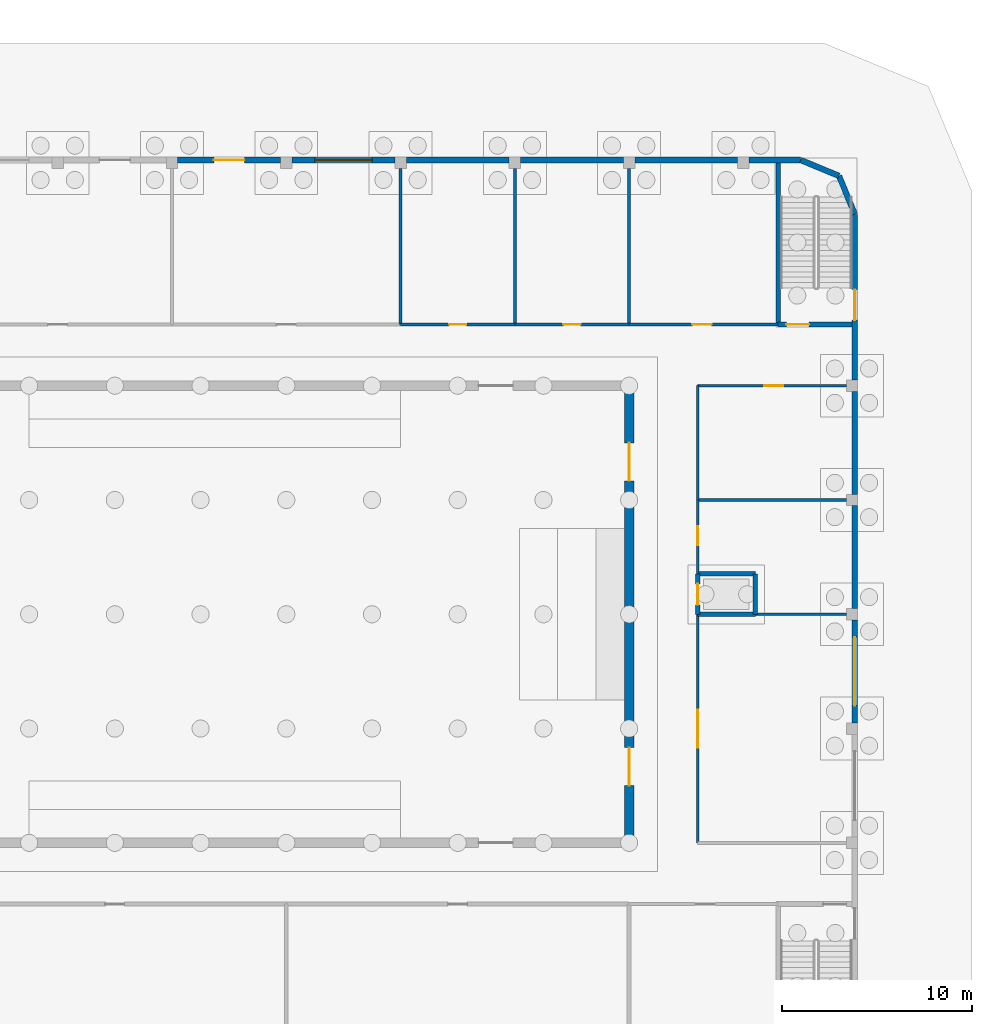
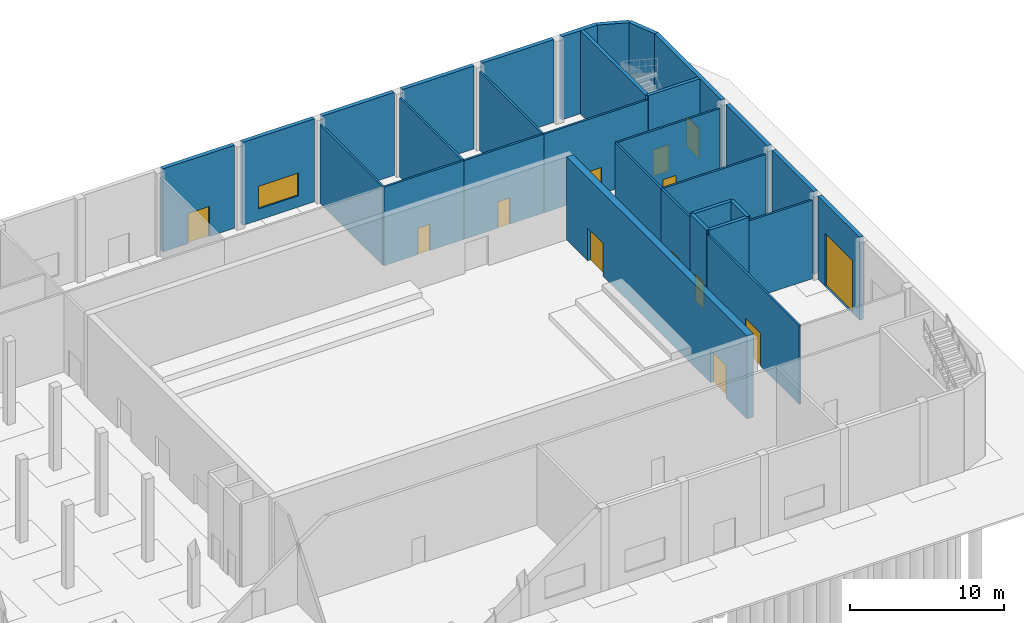
# One storey, part 35 of 44: 31 walls, 13 doors, 1 window, 14 openings.
"""IFC4 building model written with IfcOpenShell, lengths in metres."""

from ifc_helpers import new_model, si_unit, direction, frame, frame_2d, origin, place, context, subcontext, project, spatial, rectangle, extrude, material, layer, layer_set, type_object, element, fill, save


model = new_model("IFC4")

# Units and contexts
model_context = context("Model", 3, precision=1e-05, world=origin(), true_north=direction((0.0, 1.0)))
body_context = subcontext(model_context, "Body", "Model", "MODEL_VIEW")
ifc_project = project(units=[si_unit("LENGTHUNIT", "METRE"), si_unit("AREAUNIT", "SQUARE_METRE"), si_unit("VOLUMEUNIT", "CUBIC_METRE"), si_unit("PLANEANGLEUNIT", "RADIAN"), si_unit("MASSUNIT", "GRAM", prefix="KILO")], contexts=[model_context])

# Site, building, storey
site_placement = place(None, origin())
site = spatial("IfcSite", under=ifc_project, at=site_placement, CompositionType="ELEMENT")
building_placement = place(site_placement, origin())
building = spatial("IfcBuilding", under=site, at=building_placement, Name="Nakaniwa Court", CompositionType="ELEMENT")
storey_placement = place(building_placement, origin())
storey = spatial("IfcBuildingStorey", under=building, at=storey_placement, Name="L00", CompositionType="ELEMENT", Elevation=0.0)

# Wall, openings, doors
ifc_material_1 = material(Name="Concrete C50/60", Category="concrete")
ifc_layer_1 = layer(ifc_material_1, 0.5)
ifc_layer_set_1 = layer_set([ifc_layer_1], Name="Concrete C50/60")
wall_type_1 = type_object("IfcWallType", Name="Auditorium acoustic mass wall RC 500", PredefinedType="SHEAR", material=ifc_layer_set_1)
wall_1_placement = place(storey_placement, frame((206.0, 91.75, 0.0), z_axis=(0.0, 0.0, 1.0), x_axis=(0.0, -1.0, 0.0)))
wall_1 = element("IfcWall", 1, at=wall_1_placement, inside=storey, type_object=wall_type_1, Name="Auditorium east wall L00", PredefinedType="SHEAR", context=body_context, shape_type="SweptSolid", body=[
    extrude(rectangle(XDim=23.5, YDim=0.5, at=frame_2d((11.75, 0.0))), origin(), (0.0, 0.0, 1.0), 6.60009765625),
])
opening_1_placement = place(wall_1_placement, frame((18.75, 0.0, 0.0)))
opening_1 = element("IfcOpeningElement", 2, at=opening_1_placement, cuts=wall_1, Name="Opening HD-47", PredefinedType="OPENING", context=body_context, shape_type="SweptSolid", body=[
    extrude(rectangle(XDim=2.0, YDim=2.60009765625, at=frame_2d((1.0, 1.300048828125))), frame((0.0, 0.260009765625, 0.0), z_axis=(0.0, -1.0, 0.0), x_axis=(1.0, 0.0, 0.0)), (0.0, 0.0, 1.0), 0.52001953125),
])
opening_2_placement = place(wall_1_placement, frame((2.75, 0.0, 0.0)))
opening_2 = element("IfcOpeningElement", 3, at=opening_2_placement, cuts=wall_1, Name="Opening HD-48", PredefinedType="OPENING", context=body_context, shape_type="SweptSolid", body=[
    extrude(rectangle(XDim=2.0, YDim=2.60009765625, at=frame_2d((1.0, 1.300048828125))), frame((0.0, 0.260009765625, 0.0), z_axis=(0.0, -1.0, 0.0), x_axis=(1.0, 0.0, 0.0)), (0.0, 0.0, 1.0), 0.52001953125),
])
ifc_material_2 = material(Name="Insulated steel door leaf in steel frame", Category="steel")
door_type_1 = type_object("IfcDoorType", Name="Hall stage double door 2000x2600", OperationType="DOUBLE_DOOR_SINGLE_SWING", PredefinedType="DOOR", material=ifc_material_2)
door_1_placement = place(opening_1_placement, origin())
door_1 = element("IfcDoor", 4, at=door_1_placement, inside=storey, type_object=door_type_1, Name="L00 door stage-E1", OperationType="DOUBLE_DOOR_SINGLE_SWING", OverallHeight=2.60009765625, OverallWidth=2.0, PredefinedType="DOOR", context=body_context, shape_type="SweptSolid", body=[
    extrude(rectangle(XDim=2.0, YDim=2.60009765625, at=frame_2d((1.0, 1.300048828125))), frame((0.0, 0.02490234375, 0.0), z_axis=(0.0, -1.0, 0.0), x_axis=(1.0, 0.0, 0.0)), (0.0, 0.0, 1.0), 0.050048828125),
])
fill(opening_1, door_1)
door_2_placement = place(opening_2_placement, origin())
door_2 = element("IfcDoor", 5, at=door_2_placement, inside=storey, type_object=door_type_1, Name="L00 door stage-E2", OperationType="DOUBLE_DOOR_SINGLE_SWING", OverallHeight=2.60009765625, OverallWidth=2.0, PredefinedType="DOOR", context=body_context, shape_type="SweptSolid", body=[
    extrude(rectangle(XDim=2.0, YDim=2.60009765625, at=frame_2d((1.0, 1.300048828125))), frame((0.0, 0.02490234375, 0.0), z_axis=(0.0, -1.0, 0.0), x_axis=(1.0, 0.0, 0.0)), (0.0, 0.0, 1.0), 0.050048828125),
])
fill(opening_2, door_2)

# Wall, opening, door
ifc_layer_2 = layer(ifc_material_1, 0.300048828125)
ifc_layer_set_2 = layer_set([ifc_layer_2], Name="Concrete C50/60")
wall_type_2 = type_object("IfcWallType", Name="Fair faced concrete wall 300", PredefinedType="SOLIDWALL", material=ifc_layer_set_2)
wall_2_placement = place(storey_placement, frame((182.300048828125, 103.85009765625, 0.0), z_axis=(0.0, 0.0, 1.0), x_axis=(1.0, 0.0, 0.0)))
wall_2 = element("IfcWall", 6, at=wall_2_placement, inside=storey, type_object=wall_type_2, Name="Facade wall L00 16", PredefinedType="SOLIDWALL", context=body_context, shape_type="SweptSolid", body=[
    extrude(rectangle(XDim=5.39990234375, YDim=0.300048828125, at=frame_2d((2.699951171875, 0.0))), origin(), (0.0, 0.0, 1.0), 6.60009765625),
])
opening_3_placement = place(wall_2_placement, frame((1.89990234375, 0.0, 0.0)))
opening_3 = element("IfcOpeningElement", 7, at=opening_3_placement, cuts=wall_2, Name="Opening HD-10", PredefinedType="OPENING", context=body_context, shape_type="SweptSolid", body=[
    extrude(rectangle(XDim=1.60009765625, YDim=2.39990234375, at=frame_2d((0.800048828125, 1.199951171875))), frame((0.0, 0.159912109375, 0.0), z_axis=(0.0, -1.0, 0.0), x_axis=(1.0, 0.0, 0.0)), (0.0, 0.0, 1.0), 0.320068359375),
])
door_type_2 = type_object("IfcDoorType", Name="Hall exit double door 1600x2400", OperationType="DOUBLE_DOOR_SINGLE_SWING", PredefinedType="DOOR", material=ifc_material_2)
door_3_placement = place(opening_3_placement, origin())
door_3 = element("IfcDoor", 8, at=door_3_placement, inside=storey, type_object=door_type_2, Name="Exit door Stage workshop", OperationType="SINGLE_SWING_LEFT", OverallHeight=2.39990234375, OverallWidth=1.60009765625, PredefinedType="DOOR", context=body_context, shape_type="SweptSolid", body=[
    extrude(rectangle(XDim=1.60009765625, YDim=2.39990234375, at=frame_2d((0.800048828125, 1.199951171875))), frame((0.0, 0.02490234375, 0.0), z_axis=(0.0, -1.0, 0.0), x_axis=(1.0, 0.0, 0.0)), (0.0, 0.0, 1.0), 0.050048828125),
])
fill(opening_3, door_3)

# Wall, opening, window
wall_3_placement = place(storey_placement, frame((188.300048828125, 103.85009765625, 0.0), z_axis=(0.0, 0.0, 1.0), x_axis=(1.0, 0.0, 0.0)))
wall_3 = element("IfcWall", 9, at=wall_3_placement, inside=storey, type_object=wall_type_2, Name="Facade wall L00 17", PredefinedType="SOLIDWALL", context=body_context, shape_type="SweptSolid", body=[
    extrude(rectangle(XDim=5.39990234375, YDim=0.300048828125, at=frame_2d((2.699951171875, 0.0))), origin(), (0.0, 0.0, 1.0), 6.60009765625),
])
opening_4_placement = place(wall_3_placement, frame((1.199951171875, 0.0, 0.89990234375)))
opening_4 = element("IfcOpeningElement", 10, at=opening_4_placement, cuts=wall_3, Name="Opening HWN-12", PredefinedType="OPENING", context=body_context, shape_type="SweptSolid", body=[
    extrude(rectangle(XDim=3.0, YDim=1.800048828125, at=frame_2d((1.5, 0.89990234375))), frame((0.0, 0.159912109375, 0.0), z_axis=(0.0, -1.0, 0.0), x_axis=(1.0, 0.0, 0.0)), (0.0, 0.0, 1.0), 0.320068359375),
])
ifc_material_3 = material(Name="Black powder-coated aluminium frame with dark glass", Category="aluminium")
window_type = type_object("IfcWindowType", Name="Hall window 3000x1800", PartitioningType="SINGLE_PANEL", PredefinedType="WINDOW", material=ifc_material_3)
window_placement = place(opening_4_placement, origin())
window = element("IfcWindow", 11, at=window_placement, inside=storey, type_object=window_type, Name="Window L00:016", OverallHeight=1.800048828125, OverallWidth=3.0, PartitioningType="SINGLE_PANEL", PredefinedType="WINDOW", context=body_context, shape_type="SweptSolid", body=[
    extrude(rectangle(XDim=3.0, YDim=1.800048828125, at=frame_2d((1.5, 0.89990234375))), frame((0.0, 0.030029296875, 0.0), z_axis=(0.0, -1.0, 0.0), x_axis=(1.0, 0.0, 0.0)), (0.0, 0.0, 1.0), 0.06005859375),
])
fill(opening_4, window)

# Walls
for number, where, z_axis, x_axis, name in (
    (12, (194.300048828125, 103.85009765625, 0.0), (0.0, 0.0, 1.0), (1.0, 0.0, 0.0), "Facade wall L00 18"),
    (13, (200.300048828125, 103.85009765625, 0.0), (0.0, 0.0, 1.0), (1.0, 0.0, 0.0), "Facade wall L00 19"),
    (14, (206.300048828125, 103.85009765625, 0.0), (0.0, 0.0, 1.0), (1.0, 0.0, 0.0), "Facade wall L00 20"),
):
    element("IfcWall", number, at=place(storey_placement, frame(where, z_axis=z_axis, x_axis=x_axis)), inside=storey, type_object=wall_type_2, Name=name, PredefinedType="SOLIDWALL", context=body_context, shape_type="SweptSolid", body=[
        extrude(rectangle(XDim=5.39990234375, YDim=0.300048828125, at=frame_2d((2.699951171875, 0.0))), origin(), (0.0, 0.0, 1.0), 6.60009765625),
    ])
wall_4_placement = place(storey_placement, frame((212.300048828125, 103.85009765625, 0.0), z_axis=(0.0, 0.0, 1.0), x_axis=(1.0, 0.0, 0.0)))
element("IfcWall", 15, at=wall_4_placement, inside=storey, type_object=wall_type_2, Name="Facade wall L00 21", PredefinedType="SOLIDWALL", context=body_context, shape_type="SweptSolid", body=[
    extrude(rectangle(XDim=2.699951171875, YDim=0.300048828125, at=frame_2d((1.35009765625, 0.0))), origin(), (0.0, 0.0, 1.0), 6.60009765625),
])
for number, where, z_axis, x_axis, name in (
    (16, (215.0, 103.85009765625, 0.0), (0.0, 0.0, 1.0), (0.923892706888, -0.382651625058, 0.0), "Facade wall L00 22"),
    (17, (217.015380859375, 103.015380859375, 0.0), (0.0, 0.0, 1.0), (0.382651625058, -0.923892706888, 0.0), "Facade wall L00 23"),
):
    element("IfcWall", number, at=place(storey_placement, frame(where, z_axis=z_axis, x_axis=x_axis)), inside=storey, type_object=wall_type_2, Name=name, PredefinedType="SOLIDWALL", context=body_context, shape_type="SweptSolid", body=[
        extrude(rectangle(XDim=2.181396484375, YDim=0.300048828125, at=frame_2d((1.0908203125, 0.0))), origin(), (0.0, 0.0, 1.0), 6.60009765625),
    ])

# Wall, opening, door
wall_5_placement = place(storey_placement, frame((217.85009765625, 101.0, 0.0), z_axis=(0.0, 0.0, 1.0), x_axis=(0.0, -1.0, 0.0)))
wall_5 = element("IfcWall", 18, at=wall_5_placement, inside=storey, type_object=wall_type_2, Name="Facade wall L00 24", PredefinedType="SOLIDWALL", context=body_context, shape_type="SweptSolid", body=[
    extrude(rectangle(XDim=8.699951171875, YDim=0.300048828125, at=frame_2d((4.35009765625, 0.0))), origin(), (0.0, 0.0, 1.0), 6.60009765625),
])
opening_5_placement = place(wall_5_placement, frame((3.9599609375, 0.0, 0.0)))
opening_5 = element("IfcOpeningElement", 19, at=opening_5_placement, cuts=wall_5, Name="Opening HD-11", PredefinedType="OPENING", context=body_context, shape_type="SweptSolid", body=[
    extrude(rectangle(XDim=1.60009765625, YDim=2.39990234375, at=frame_2d((0.800048828125, 1.199951171875))), frame((0.0, 0.159912109375, 0.0), z_axis=(0.0, -1.0, 0.0), x_axis=(1.0, 0.0, 0.0)), (0.0, 0.0, 1.0), 0.320068359375),
])
door_4_placement = place(opening_5_placement, origin())
door_4 = element("IfcDoor", 20, at=door_4_placement, inside=storey, type_object=door_type_2, Name="Exit door ST-H4", OperationType="SINGLE_SWING_LEFT", OverallHeight=2.39990234375, OverallWidth=1.60009765625, PredefinedType="DOOR", context=body_context, shape_type="SweptSolid", body=[
    extrude(rectangle(XDim=1.60009765625, YDim=2.39990234375, at=frame_2d((0.800048828125, 1.199951171875))), frame((0.0, 0.02490234375, 0.0), z_axis=(0.0, -1.0, 0.0), x_axis=(1.0, 0.0, 0.0)), (0.0, 0.0, 1.0), 0.050048828125),
])
fill(opening_5, door_4)

# Walls
for number, where, z_axis, x_axis, name in (
    (21, (217.85009765625, 91.699951171875, 0.0), (0.0, 0.0, 1.0), (0.0, -1.0, 0.0), "Facade wall L00 25"),
    (22, (217.85009765625, 85.699951171875, 0.0), (0.0, 0.0, 1.0), (0.0, -1.0, 0.0), "Facade wall L00 26"),
):
    element("IfcWall", number, at=place(storey_placement, frame(where, z_axis=z_axis, x_axis=x_axis)), inside=storey, type_object=wall_type_2, Name=name, PredefinedType="SOLIDWALL", context=body_context, shape_type="SweptSolid", body=[
        extrude(rectangle(XDim=5.39990234375, YDim=0.300048828125, at=frame_2d((2.699951171875, 0.0))), origin(), (0.0, 0.0, 1.0), 6.60009765625),
    ])

# Wall, opening, door
wall_6_placement = place(storey_placement, frame((217.85009765625, 79.699951171875, 0.0), z_axis=(0.0, 0.0, 1.0), x_axis=(0.0, -1.0, 0.0)))
wall_6 = element("IfcWall", 23, at=wall_6_placement, inside=storey, type_object=wall_type_2, Name="Facade wall L00 27", PredefinedType="SOLIDWALL", context=body_context, shape_type="SweptSolid", body=[
    extrude(rectangle(XDim=5.39990234375, YDim=0.300048828125, at=frame_2d((2.699951171875, 0.0))), origin(), (0.0, 0.0, 1.0), 6.60009765625),
])
opening_6_placement = place(wall_6_placement, frame((0.89990234375, 0.0, 0.0)))
opening_6 = element("IfcOpeningElement", 24, at=opening_6_placement, cuts=wall_6, Name="Opening HD-12", PredefinedType="OPENING", context=body_context, shape_type="SweptSolid", body=[
    extrude(rectangle(XDim=3.60009765625, YDim=4.199951171875, at=frame_2d((1.800048828125, 2.10009765625))), frame((0.0, 0.159912109375, 0.0), z_axis=(0.0, -1.0, 0.0), x_axis=(1.0, 0.0, 0.0)), (0.0, 0.0, 1.0), 0.320068359375),
])
ifc_material_4 = material(Name="Insulated galvanised steel roller shutter", Category="steel")
door_type_3 = type_object("IfcDoorType", Name="Hall loading dock roller shutter 3600x4200", OperationType="ROLLINGUP", PredefinedType="DOOR", material=ifc_material_4)
door_5_placement = place(opening_6_placement, origin())
door_5 = element("IfcDoor", 25, at=door_5_placement, inside=storey, type_object=door_type_3, Name="Loading dock shutter 026", OperationType="SINGLE_SWING_LEFT", OverallHeight=4.199951171875, OverallWidth=3.60009765625, PredefinedType="DOOR", context=body_context, shape_type="SweptSolid", body=[
    extrude(rectangle(XDim=3.60009765625, YDim=4.199951171875, at=frame_2d((1.800048828125, 2.10009765625))), frame((0.0, 0.02490234375, 0.0), z_axis=(0.0, -1.0, 0.0), x_axis=(1.0, 0.0, 0.0)), (0.0, 0.0, 1.0), 0.050048828125),
])
fill(opening_6, door_5)

# Wall
ifc_material_5 = material(Name="Concrete C40/50", Category="concrete")
ifc_layer_3 = layer(ifc_material_5, 0.25)
ifc_layer_set_3 = layer_set([ifc_layer_3], Name="Concrete C40/50")
wall_type_3 = type_object("IfcWallType", Name="Fire isolated shaft wall RC 250", PredefinedType="SOLIDWALL", material=ifc_layer_set_3)
wall_7_placement = place(storey_placement, frame((209.60009765625, 80.0, 0.0), z_axis=(0.0, 0.0, 1.0), x_axis=(1.0, 0.0, 0.0)))
element("IfcWall", 26, at=wall_7_placement, inside=storey, type_object=wall_type_3, Name="L00 shaft wall 41", PredefinedType="SOLIDWALL", context=body_context, shape_type="SweptSolid", body=[
    extrude(rectangle(XDim=3.02490234375, YDim=0.25, at=frame_2d((1.512451171875, 0.0))), origin(), (0.0, 0.0, 1.0), 6.60009765625),
])

# Wall, opening, door
wall_8_placement = place(storey_placement, frame((209.60009765625, 82.125, 0.0), z_axis=(0.0, 0.0, 1.0), x_axis=(0.0, -1.0, 0.0)))
wall_8 = element("IfcWall", 27, at=wall_8_placement, inside=storey, type_object=wall_type_3, Name="L00 shaft wall 42", PredefinedType="SOLIDWALL", context=body_context, shape_type="SweptSolid", body=[
    extrude(rectangle(XDim=2.125, YDim=0.25, at=frame_2d((1.0625, 0.0))), origin(), (0.0, 0.0, 1.0), 6.60009765625),
])
opening_7_placement = place(wall_8_placement, frame((0.52490234375, 0.0, 0.0)))
opening_7 = element("IfcOpeningElement", 28, at=opening_7_placement, cuts=wall_8, Name="Opening LD-03", PredefinedType="OPENING", context=body_context, shape_type="SweptSolid", body=[
    extrude(rectangle(XDim=1.10009765625, YDim=2.10009765625, at=frame_2d((0.550048828125, 1.050048828125))), frame((0.0, 0.135009765625, 0.0), z_axis=(0.0, -1.0, 0.0), x_axis=(1.0, 0.0, 0.0)), (0.0, 0.0, 1.0), 0.27001953125),
])
ifc_material_6 = material(Name="Brushed stainless steel sliding landing door", Category="steel")
door_type_4 = type_object("IfcDoorType", Name="Hall lift landing door 1100x2100", OperationType="SLIDING_TO_LEFT", PredefinedType="DOOR", material=ifc_material_6)
door_6_placement = place(opening_7_placement, origin())
door_6 = element("IfcDoor", 29, at=door_6_placement, inside=storey, type_object=door_type_4, Name="L00 lift landing door HL3", OperationType="SLIDING_TO_LEFT", OverallHeight=2.10009765625, OverallWidth=1.10009765625, PredefinedType="DOOR", context=body_context, shape_type="SweptSolid", body=[
    extrude(rectangle(XDim=1.10009765625, YDim=2.10009765625, at=frame_2d((0.550048828125, 1.050048828125))), frame((0.0, 0.02490234375, 0.0), z_axis=(0.0, -1.0, 0.0), x_axis=(1.0, 0.0, 0.0)), (0.0, 0.0, 1.0), 0.050048828125),
])
fill(opening_7, door_6)

# Walls
wall_9_placement = place(storey_placement, frame((212.625, 80.0, 0.0), z_axis=(0.0, 0.0, 1.0), x_axis=(0.0, 1.0, 0.0)))
element("IfcWall", 30, at=wall_9_placement, inside=storey, type_object=wall_type_3, Name="L00 shaft wall 45", PredefinedType="SOLIDWALL", context=body_context, shape_type="SweptSolid", body=[
    extrude(rectangle(XDim=2.125, YDim=0.25, at=frame_2d((1.0625, 0.0))), origin(), (0.0, 0.0, 1.0), 6.60009765625),
])
wall_10_placement = place(storey_placement, frame((212.625, 82.125, 0.0), z_axis=(0.0, 0.0, 1.0), x_axis=(-1.0, 0.0, 0.0)))
element("IfcWall", 31, at=wall_10_placement, inside=storey, type_object=wall_type_3, Name="L00 shaft wall 46", PredefinedType="SOLIDWALL", context=body_context, shape_type="SweptSolid", body=[
    extrude(rectangle(XDim=3.02490234375, YDim=0.25, at=frame_2d((1.512451171875, 0.0))), origin(), (0.0, 0.0, 1.0), 6.60009765625),
])

# Wall, opening, door
wall_11_placement = place(storey_placement, frame((213.824951171875, 95.215087890625, 0.0), z_axis=(0.0, 0.0, 1.0), x_axis=(1.0, 0.0, 0.0)))
wall_11 = element("IfcWall", 32, at=wall_11_placement, inside=storey, type_object=wall_type_3, Name="L00 shaft wall 54", PredefinedType="SOLIDWALL", context=body_context, shape_type="SweptSolid", body=[
    extrude(rectangle(XDim=3.875, YDim=0.25, at=frame_2d((1.9375, 0.0))), origin(), (0.0, 0.0, 1.0), 6.60009765625),
])
opening_8_placement = place(wall_11_placement, frame((0.425048828125, 0.0, 0.0)))
opening_8 = element("IfcOpeningElement", 33, at=opening_8_placement, cuts=wall_11, Name="Opening HD-39", PredefinedType="OPENING", context=body_context, shape_type="SweptSolid", body=[
    extrude(rectangle(XDim=1.199951171875, YDim=2.10009765625, at=frame_2d((0.60009765625, 1.050048828125))), frame((0.0, 0.135009765625, 0.0), z_axis=(0.0, -1.0, 0.0), x_axis=(1.0, 0.0, 0.0)), (0.0, 0.0, 1.0), 0.27001953125),
])
door_type_5 = type_object("IfcDoorType", Name="Hall stair door 1200x2100", OperationType="SINGLE_SWING_LEFT", PredefinedType="DOOR", material=ifc_material_2)
door_7_placement = place(opening_8_placement, origin())
door_7 = element("IfcDoor", 34, at=door_7_placement, inside=storey, type_object=door_type_5, Name="L00 door Exit-stair-H4", OperationType="SINGLE_SWING_RIGHT", OverallHeight=2.10009765625, OverallWidth=1.199951171875, PredefinedType="DOOR", context=body_context, shape_type="SweptSolid", body=[
    extrude(rectangle(XDim=1.199951171875, YDim=2.10009765625, at=frame_2d((0.60009765625, 1.050048828125))), frame((0.0, 0.02490234375, 0.0), z_axis=(0.0, -1.0, 0.0), x_axis=(1.0, 0.0, 0.0)), (0.0, 0.0, 1.0), 0.050048828125),
])
fill(opening_8, door_7)

# Wall
wall_12_placement = place(storey_placement, frame((213.824951171875, 95.215087890625, 0.0), z_axis=(0.0, 0.0, 1.0), x_axis=(0.0, 1.0, 0.0)))
element("IfcWall", 35, at=wall_12_placement, inside=storey, type_object=wall_type_3, Name="L00 shaft wall 55", PredefinedType="SOLIDWALL", context=body_context, shape_type="SweptSolid", body=[
    extrude(rectangle(XDim=8.48486328125, YDim=0.25, at=frame_2d((4.242431640625, 0.0))), origin(), (0.0, 0.0, 1.0), 6.60009765625),
])

# Wall, opening, door
ifc_material_7 = material(Name="Steel stud plasterboard partition", Category="steel")
ifc_layer_4 = layer(ifc_material_7, 0.14990234375)
ifc_layer_set_4 = layer_set([ifc_layer_4], Name="Steel stud plasterboard partition")
wall_type_4 = type_object("IfcWallType", Name="Partition 150", PredefinedType="PARTITIONING", material=ifc_layer_set_4)
wall_13_placement = place(storey_placement, frame((206.0, 95.215087890625, 0.0), z_axis=(0.0, 0.0, 1.0), x_axis=(1.0, 0.0, 0.0)))
wall_13 = element("IfcWall", 36, at=wall_13_placement, inside=storey, type_object=wall_type_4, Name="L00 partition wall 39", PredefinedType="PARTITIONING", context=body_context, shape_type="SweptSolid", body=[
    extrude(rectangle(XDim=7.824951171875, YDim=0.14990234375, at=frame_2d((3.91259765625, 0.0))), origin(), (0.0, 0.0, 1.0), 6.25),
])
opening_9_placement = place(wall_13_placement, frame((3.324951171875, 0.0, 0.0)))
opening_9 = element("IfcOpeningElement", 37, at=opening_9_placement, cuts=wall_13, Name="Opening HD-34", PredefinedType="OPENING", context=body_context, shape_type="SweptSolid", body=[
    extrude(rectangle(XDim=1.0, YDim=2.10009765625, at=frame_2d((0.5, 1.050048828125))), frame((0.0, 0.0849609375, 0.0), z_axis=(0.0, -1.0, 0.0), x_axis=(1.0, 0.0, 0.0)), (0.0, 0.0, 1.0), 0.169921875),
])
ifc_material_8 = material(Name="Solid-core timber door leaf in steel frame", Category="steel")
door_type_6 = type_object("IfcDoorType", Name="Hall door 1000x2100", OperationType="SINGLE_SWING_LEFT", PredefinedType="DOOR", material=ifc_material_8)
door_8_placement = place(opening_9_placement, origin())
door_8 = element("IfcDoor", 38, at=door_8_placement, inside=storey, type_object=door_type_6, Name="L00 door Facilities-maintenance-workshop", OperationType="SINGLE_SWING_LEFT", OverallHeight=2.10009765625, OverallWidth=1.0, PredefinedType="DOOR", context=body_context, shape_type="SweptSolid", body=[
    extrude(rectangle(XDim=1.0, YDim=2.10009765625, at=frame_2d((0.5, 1.050048828125))), frame((0.0, 0.02490234375, 0.0), z_axis=(0.0, -1.0, 0.0), x_axis=(1.0, 0.0, 0.0)), (0.0, 0.0, 1.0), 0.050048828125),
])
fill(opening_9, door_8)

wall_14_placement = place(storey_placement, frame((209.60009765625, 80.0, 0.0), z_axis=(0.0, 0.0, 1.0), x_axis=(0.0, -1.0, 0.0)))
wall_14 = element("IfcWall", 39, at=wall_14_placement, inside=storey, type_object=wall_type_4, Name="L00 partition wall 43", PredefinedType="PARTITIONING", context=body_context, shape_type="SweptSolid", body=[
    extrude(rectangle(XDim=12.0, YDim=0.14990234375, at=frame_2d((6.0, 0.0))), origin(), (0.0, 0.0, 1.0), 6.25),
])
opening_10_placement = place(wall_14_placement, frame((5.0, 0.0, 0.0)))
opening_10 = element("IfcOpeningElement", 40, at=opening_10_placement, cuts=wall_14, Name="Opening HD-35", PredefinedType="OPENING", context=body_context, shape_type="SweptSolid", body=[
    extrude(rectangle(XDim=2.0, YDim=2.60009765625, at=frame_2d((1.0, 1.300048828125))), frame((0.0, 0.0849609375, 0.0), z_axis=(0.0, -1.0, 0.0), x_axis=(1.0, 0.0, 0.0)), (0.0, 0.0, 1.0), 0.169921875),
])
door_9_placement = place(opening_10_placement, origin())
door_9 = element("IfcDoor", 41, at=door_9_placement, inside=storey, type_object=door_type_1, Name="L00 door Loading-dock", OperationType="DOUBLE_DOOR_SINGLE_SWING", OverallHeight=2.60009765625, OverallWidth=2.0, PredefinedType="DOOR", context=body_context, shape_type="SweptSolid", body=[
    extrude(rectangle(XDim=2.0, YDim=2.60009765625, at=frame_2d((1.0, 1.300048828125))), frame((0.0, 0.02490234375, 0.0), z_axis=(0.0, -1.0, 0.0), x_axis=(1.0, 0.0, 0.0)), (0.0, 0.0, 1.0), 0.050048828125),
])
fill(opening_10, door_9)

wall_15_placement = place(storey_placement, frame((209.60009765625, 86.0, 0.0), z_axis=(0.0, 0.0, 1.0), x_axis=(0.0, -1.0, 0.0)))
wall_15 = element("IfcWall", 42, at=wall_15_placement, inside=storey, type_object=wall_type_4, Name="L00 partition wall 47", PredefinedType="PARTITIONING", context=body_context, shape_type="SweptSolid", body=[
    extrude(rectangle(XDim=3.875, YDim=0.14990234375, at=frame_2d((1.9375, 0.0))), origin(), (0.0, 0.0, 1.0), 6.25),
])
opening_11_placement = place(wall_15_placement, frame((1.375, 0.0, 0.0)))
opening_11 = element("IfcOpeningElement", 43, at=opening_11_placement, cuts=wall_15, Name="Opening HD-36", PredefinedType="OPENING", context=body_context, shape_type="SweptSolid", body=[
    extrude(rectangle(XDim=1.0, YDim=2.10009765625, at=frame_2d((0.5, 1.050048828125))), frame((0.0, 0.0849609375, 0.0), z_axis=(0.0, -1.0, 0.0), x_axis=(1.0, 0.0, 0.0)), (0.0, 0.0, 1.0), 0.169921875),
])
door_10_placement = place(opening_11_placement, origin())
door_10 = element("IfcDoor", 44, at=door_10_placement, inside=storey, type_object=door_type_6, Name="L00 door Instrument-store", OperationType="SINGLE_SWING_LEFT", OverallHeight=2.10009765625, OverallWidth=1.0, PredefinedType="DOOR", context=body_context, shape_type="SweptSolid", body=[
    extrude(rectangle(XDim=1.0, YDim=2.10009765625, at=frame_2d((0.5, 1.050048828125))), frame((0.0, 0.02490234375, 0.0), z_axis=(0.0, -1.0, 0.0), x_axis=(1.0, 0.0, 0.0)), (0.0, 0.0, 1.0), 0.050048828125),
])
fill(opening_11, door_10)

# Wall
wall_16_placement = place(storey_placement, frame((209.60009765625, 86.0, 0.0), z_axis=(0.0, 0.0, 1.0), x_axis=(1.0, 0.0, 0.0)))
element("IfcWall", 45, at=wall_16_placement, inside=storey, type_object=wall_type_4, Name="L00 partition wall 48", PredefinedType="PARTITIONING", context=body_context, shape_type="SweptSolid", body=[
    extrude(rectangle(XDim=7.7998046875, YDim=0.14990234375, at=frame_2d((3.89990234375, 0.0))), origin(), (0.0, 0.0, 1.0), 6.25),
])

# Wall, opening, door
wall_17_placement = place(storey_placement, frame((217.39990234375, 92.0, 0.0), z_axis=(0.0, 0.0, 1.0), x_axis=(-1.0, 0.0, 0.0)))
wall_17 = element("IfcWall", 46, at=wall_17_placement, inside=storey, type_object=wall_type_4, Name="L00 partition wall 49", PredefinedType="PARTITIONING", context=body_context, shape_type="SweptSolid", body=[
    extrude(rectangle(XDim=7.7998046875, YDim=0.14990234375, at=frame_2d((3.89990234375, 0.0))), origin(), (0.0, 0.0, 1.0), 6.25),
])
opening_12_placement = place(wall_17_placement, frame((3.300048828125, 0.0, 0.0)))
opening_12 = element("IfcOpeningElement", 47, at=opening_12_placement, cuts=wall_17, Name="Opening HD-37", PredefinedType="OPENING", context=body_context, shape_type="SweptSolid", body=[
    extrude(rectangle(XDim=1.0, YDim=2.10009765625, at=frame_2d((0.5, 1.050048828125))), frame((0.0, 0.0849609375, 0.0), z_axis=(0.0, -1.0, 0.0), x_axis=(1.0, 0.0, 0.0)), (0.0, 0.0, 1.0), 0.169921875),
])
door_11_placement = place(opening_12_placement, origin())
door_11 = element("IfcDoor", 48, at=door_11_placement, inside=storey, type_object=door_type_6, Name="L00 door Scenery-store", OperationType="SINGLE_SWING_RIGHT", OverallHeight=2.10009765625, OverallWidth=1.0, PredefinedType="DOOR", context=body_context, shape_type="SweptSolid", body=[
    extrude(rectangle(XDim=1.0, YDim=2.10009765625, at=frame_2d((0.5, 1.050048828125))), frame((0.0, 0.02490234375, 0.0), z_axis=(0.0, -1.0, 0.0), x_axis=(1.0, 0.0, 0.0)), (0.0, 0.0, 1.0), 0.050048828125),
])
fill(opening_12, door_11)

# Walls
wall_18_placement = place(storey_placement, frame((209.60009765625, 92.0, 0.0), z_axis=(0.0, 0.0, 1.0), x_axis=(0.0, -1.0, 0.0)))
element("IfcWall", 49, at=wall_18_placement, inside=storey, type_object=wall_type_4, Name="L00 partition wall 50", PredefinedType="PARTITIONING", context=body_context, shape_type="SweptSolid", body=[
    extrude(rectangle(XDim=6.0, YDim=0.14990234375, at=frame_2d((3.0, 0.0))), origin(), (0.0, 0.0, 1.0), 6.25),
])
wall_19_placement = place(storey_placement, frame((212.625, 80.0, 0.0), z_axis=(0.0, 0.0, 1.0), x_axis=(1.0, 0.0, 0.0)))
element("IfcWall", 50, at=wall_19_placement, inside=storey, type_object=wall_type_4, Name="L00 partition wall 51", PredefinedType="PARTITIONING", context=body_context, shape_type="SweptSolid", body=[
    extrude(rectangle(XDim=4.77490234375, YDim=0.14990234375, at=frame_2d((2.387451171875, 0.0))), origin(), (0.0, 0.0, 1.0), 6.25),
])

# Wall, opening, door
ifc_material_9 = material(Name="Moisture-resistant steel stud partition", Category="steel")
ifc_layer_5 = layer(ifc_material_9, 0.14990234375)
ifc_layer_set_5 = layer_set([ifc_layer_5], Name="Moisture-resistant steel stud partition")
wall_type_5 = type_object("IfcWallType", Name="Wet area partition 150", PredefinedType="PLUMBINGWALL", material=ifc_layer_set_5)
wall_20_placement = place(storey_placement, frame((194.0, 95.215087890625, 0.0), z_axis=(0.0, 0.0, 1.0), x_axis=(1.0, 0.0, 0.0)))
wall_20 = element("IfcWall", 51, at=wall_20_placement, inside=storey, type_object=wall_type_5, Name="L00 partition wall 33", PredefinedType="PLUMBINGWALL", context=body_context, shape_type="SweptSolid", body=[
    extrude(rectangle(XDim=6.0, YDim=0.14990234375, at=frame_2d((3.0, 0.0))), origin(), (0.0, 0.0, 1.0), 6.25),
])
opening_13_placement = place(wall_20_placement, frame((2.550048828125, 0.0, 0.0)))
opening_13 = element("IfcOpeningElement", 52, at=opening_13_placement, cuts=wall_20, Name="Opening HD-31", PredefinedType="OPENING", context=body_context, shape_type="SweptSolid", body=[
    extrude(rectangle(XDim=0.89990234375, YDim=2.10009765625, at=frame_2d((0.449951171875, 1.050048828125))), frame((0.0, 0.0849609375, 0.0), z_axis=(0.0, -1.0, 0.0), x_axis=(1.0, 0.0, 0.0)), (0.0, 0.0, 1.0), 0.169921875),
])
door_type_7 = type_object("IfcDoorType", Name="Hall door 900x2100", OperationType="SINGLE_SWING_LEFT", PredefinedType="DOOR", material=ifc_material_8)
door_12_placement = place(opening_13_placement, origin())
door_12 = element("IfcDoor", 53, at=door_12_placement, inside=storey, type_object=door_type_7, Name="L00 door Performers-WC-(men)", OperationType="SINGLE_SWING_LEFT", OverallHeight=2.10009765625, OverallWidth=0.89990234375, PredefinedType="DOOR", context=body_context, shape_type="SweptSolid", body=[
    extrude(rectangle(XDim=0.89990234375, YDim=2.10009765625, at=frame_2d((0.449951171875, 1.050048828125))), frame((0.0, 0.02490234375, 0.0), z_axis=(0.0, -1.0, 0.0), x_axis=(1.0, 0.0, 0.0)), (0.0, 0.0, 1.0), 0.050048828125),
])
fill(opening_13, door_12)

# Wall
wall_21_placement = place(storey_placement, frame((194.0, 103.39990234375, 0.0), z_axis=(0.0, 0.0, 1.0), x_axis=(0.0, -1.0, 0.0)))
element("IfcWall", 54, at=wall_21_placement, inside=storey, type_object=wall_type_5, Name="L00 partition wall 34", PredefinedType="PLUMBINGWALL", context=body_context, shape_type="SweptSolid", body=[
    extrude(rectangle(XDim=8.184814453125, YDim=0.14990234375, at=frame_2d((4.09228515625, 0.0))), origin(), (0.0, 0.0, 1.0), 6.25),
])

# Wall, opening, door
wall_22_placement = place(storey_placement, frame((200.0, 95.215087890625, 0.0), z_axis=(0.0, 0.0, 1.0), x_axis=(1.0, 0.0, 0.0)))
wall_22 = element("IfcWall", 55, at=wall_22_placement, inside=storey, type_object=wall_type_5, Name="L00 partition wall 35", PredefinedType="PLUMBINGWALL", context=body_context, shape_type="SweptSolid", body=[
    extrude(rectangle(XDim=6.0, YDim=0.14990234375, at=frame_2d((3.0, 0.0))), origin(), (0.0, 0.0, 1.0), 6.25),
])
opening_14_placement = place(wall_22_placement, frame((2.550048828125, 0.0, 0.0)))
opening_14 = element("IfcOpeningElement", 56, at=opening_14_placement, cuts=wall_22, Name="Opening HD-32", PredefinedType="OPENING", context=body_context, shape_type="SweptSolid", body=[
    extrude(rectangle(XDim=0.89990234375, YDim=2.10009765625, at=frame_2d((0.449951171875, 1.050048828125))), frame((0.0, 0.0849609375, 0.0), z_axis=(0.0, -1.0, 0.0), x_axis=(1.0, 0.0, 0.0)), (0.0, 0.0, 1.0), 0.169921875),
])
door_13_placement = place(opening_14_placement, origin())
door_13 = element("IfcDoor", 57, at=door_13_placement, inside=storey, type_object=door_type_7, Name="L00 door Performers-WC-(women)", OperationType="SINGLE_SWING_RIGHT", OverallHeight=2.10009765625, OverallWidth=0.89990234375, PredefinedType="DOOR", context=body_context, shape_type="SweptSolid", body=[
    extrude(rectangle(XDim=0.89990234375, YDim=2.10009765625, at=frame_2d((0.449951171875, 1.050048828125))), frame((0.0, 0.02490234375, 0.0), z_axis=(0.0, -1.0, 0.0), x_axis=(1.0, 0.0, 0.0)), (0.0, 0.0, 1.0), 0.050048828125),
])
fill(opening_14, door_13)

# Walls
for number, where, z_axis, x_axis, name in (
    (58, (200.0, 103.39990234375, 0.0), (0.0, 0.0, 1.0), (0.0, -1.0, 0.0), "L00 partition wall 36"),
    (59, (206.0, 103.39990234375, 0.0), (0.0, 0.0, 1.0), (0.0, -1.0, 0.0), "L00 partition wall 40"),
):
    element("IfcWall", number, at=place(storey_placement, frame(where, z_axis=z_axis, x_axis=x_axis)), inside=storey, type_object=wall_type_5, Name=name, PredefinedType="PLUMBINGWALL", context=body_context, shape_type="SweptSolid", body=[
        extrude(rectangle(XDim=8.184814453125, YDim=0.14990234375, at=frame_2d((4.09228515625, 0.0))), origin(), (0.0, 0.0, 1.0), 6.25),
    ])

save(model, "model.ifc")
